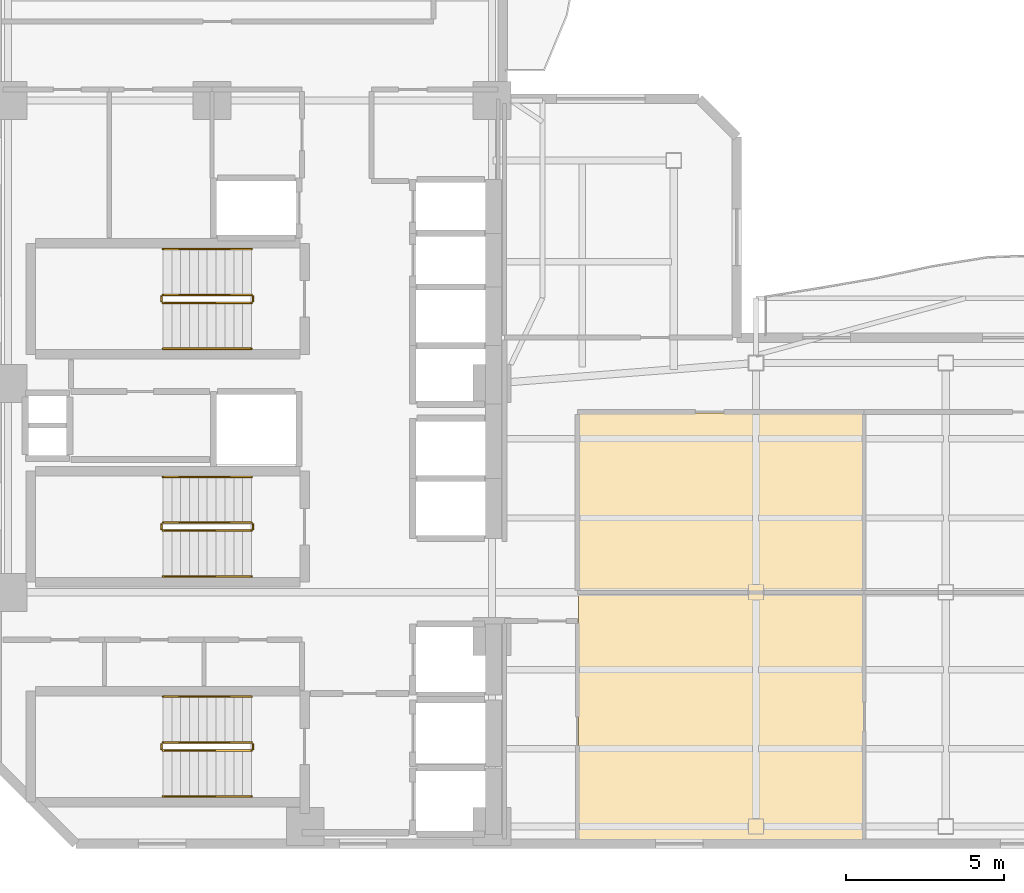
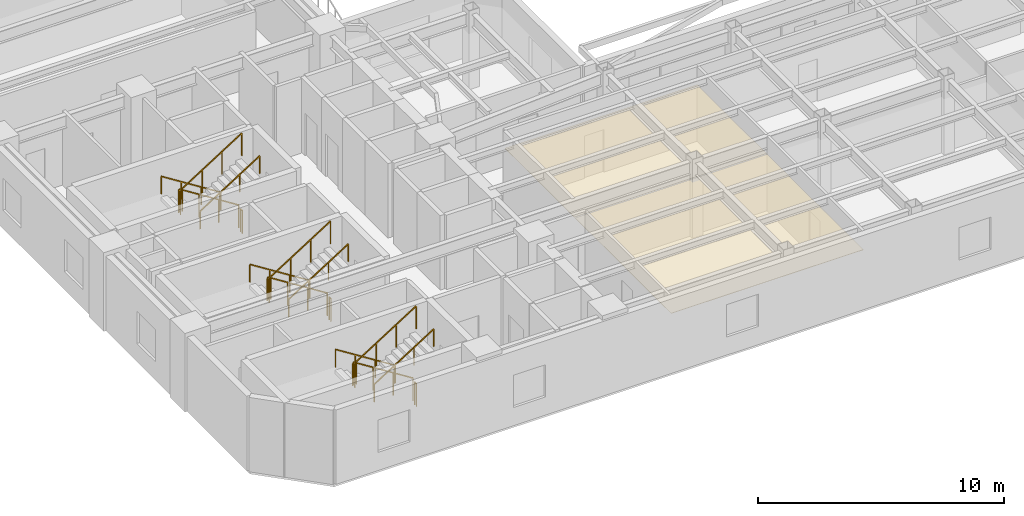
# One storey, part 7 of 9: 18 railings, 2 coverings.
"""IFC4 building model written with IfcOpenShell, lengths in metres."""

import ifcopenshell
import ifcopenshell.guid

model = None  # the IFC model being written
_history = None  # IfcOwnerHistory: only IFC2X3 demands one
_inside = {}  # id of a spatial element -> (the spatial element, [elements in it])
_under = {}  # id of a project, library or spatial element -> (it, [spatial elements below it])
_declared = {}  # id of a project -> (the project, [libraries it declares])
_typed = {}  # id of a type object -> (the type object, [elements of that type])
_made_of = {}  # id of a material, layer set ... -> (it, [elements and type objects made of it])


def new_model(schema):
    """Start an empty IFC model of exactly this schema.

    Asked for "IFC4X3", IfcOpenShell would pick the latest addendum, in which some entities
    have other attributes; the version numbers below select the first issue.
    IFC2X3 requires an IfcOwnerHistory on every rooted entity: one is made here for all.
    """
    global model, _history
    if schema == "IFC4X3":
        model = ifcopenshell.file(schema_version=(4, 3, 0, 0))
    else:
        model = ifcopenshell.file(schema=schema)
    _inside.clear()
    _under.clear()
    _declared.clear()
    _typed.clear()
    _made_of.clear()
    _history = None
    if model.schema == "IFC2X3":
        org = make("IfcOrganization", Name="unknown")
        user = make(
            "IfcPersonAndOrganization",
            ThePerson=make("IfcPerson", FamilyName="unknown"),
            TheOrganization=org,
        )
        app = make(
            "IfcApplication",
            ApplicationDeveloper=org,
            Version="unknown",
            ApplicationFullName="unknown",
            ApplicationIdentifier="unknown",
        )
        _history = make(
            "IfcOwnerHistory",
            OwningUser=user,
            OwningApplication=app,
            ChangeAction="ADDED",
            CreationDate=0,
        )
    return model


def make(cls, **values):
    """One entity of the class cls with the attributes given. An attribute that is None is left unset."""
    return model.create_entity(
        cls, **{name: value for name, value in values.items() if value is not None}
    )


def rooted(cls, **values):
    """An entity with a GlobalId (a new one), such as an element, a storey or a relation."""
    return make(cls, GlobalId=ifcopenshell.guid.new(), OwnerHistory=_history, **values)


def si_unit(unit_type, name, prefix=None):
    """IfcSIUnit, for example si_unit("LENGTHUNIT", "METRE", prefix="MILLI")."""
    return make("IfcSIUnit", UnitType=unit_type, Prefix=prefix, Name=name)


def assignment(units):
    """IfcUnitAssignment: the units of a project."""
    return None if units is None else make("IfcUnitAssignment", Units=units)


def point(xyz):
    """IfcCartesianPoint."""
    return None if xyz is None else make("IfcCartesianPoint", Coordinates=xyz)


def direction(xyz):
    """IfcDirection."""
    return None if xyz is None else make("IfcDirection", DirectionRatios=xyz)


def frame(location, z_axis=None, x_axis=None):
    """IfcAxis2Placement3D, a coordinate frame: its origin and axes. An axis left out is left unset."""
    return make(
        "IfcAxis2Placement3D",
        Location=point(location),
        Axis=direction(z_axis),
        RefDirection=direction(x_axis),
    )


def frame_2d(location, x_axis=None):
    """IfcAxis2Placement2D, a coordinate frame in the plane: its origin and x axis."""
    return make(
        "IfcAxis2Placement2D", Location=point(location), RefDirection=direction(x_axis)
    )


def origin():
    """The frame at (0, 0, 0) with its axes left unset."""
    return frame((0.0, 0.0, 0.0))


def origin_2d():
    """The frame at (0, 0) in the plane with its x axis left unset."""
    return frame_2d((0.0, 0.0))


def place(relative_to, where):
    """IfcLocalPlacement: puts the frame where relative to a parent placement (None: the world)."""
    return make(
        "IfcLocalPlacement", PlacementRelTo=relative_to, RelativePlacement=where
    )


def context(
    kind, dimensions, precision=None, world=None, true_north=None, identifier=None
):
    """IfcGeometricRepresentationContext, for example the 3D "Model" context."""
    return make(
        "IfcGeometricRepresentationContext",
        ContextIdentifier=identifier,
        ContextType=kind,
        CoordinateSpaceDimension=dimensions,
        Precision=precision,
        WorldCoordinateSystem=world,
        TrueNorth=true_north,
    )


def subcontext(parent, identifier, kind, view, scale=None):
    """IfcGeometricRepresentationSubContext, for example "Body" below "Model"."""
    return make(
        "IfcGeometricRepresentationSubContext",
        ContextIdentifier=identifier,
        ContextType=kind,
        ParentContext=parent,
        TargetScale=scale,
        TargetView=view,
    )


def project(units=None, contexts=None):
    """IfcProject with its units and contexts."""
    return rooted(
        "IfcProject",
        Name="project",
        RepresentationContexts=contexts,
        UnitsInContext=assignment(units),
    )


def spatial(cls, under=None, at=None, **own):
    """A site, building, storey or space (cls), placed at a placement, below another one or the project."""
    s = rooted(cls, ObjectPlacement=at, **own)
    if under is not None:
        _under.setdefault(under.id(), (under, []))[1].append(s)
    return s


def polyline(points):
    """IfcPolyline through the points."""
    return make("IfcPolyline", Points=[point(p) for p in points])


def profile(cls, at=None, kind="AREA", **sizes):
    """A parametric profile (cls). Its sizes go by their IFC names, for example OverallWidth=200.0."""
    return make(cls, ProfileType=kind, Position=at, **sizes)


def rectangle(**sizes):
    """IfcRectangleProfileDef."""
    return profile("IfcRectangleProfileDef", **sizes)


def outline(outer, holes=None, kind="AREA"):
    """IfcArbitraryClosedProfileDef: a profile drawn as a closed curve; with holes, ...WithVoids."""
    if holes is None:
        return make("IfcArbitraryClosedProfileDef", ProfileType=kind, OuterCurve=outer)
    return make(
        "IfcArbitraryProfileDefWithVoids",
        ProfileType=kind,
        OuterCurve=outer,
        InnerCurves=holes,
    )


def extrude(swept, where, along, depth):
    """IfcExtrudedAreaSolid: the profile swept, set in the frame where, extruded along a direction by depth."""
    return make(
        "IfcExtrudedAreaSolid",
        SweptArea=swept,
        Position=where,
        ExtrudedDirection=direction(along),
        Depth=depth,
    )


def shape(context_of_items, identifier, shape_type, items):
    """IfcShapeRepresentation: the items that make up one representation, for example the "Body"."""
    return make(
        "IfcShapeRepresentation",
        ContextOfItems=context_of_items,
        RepresentationIdentifier=identifier,
        RepresentationType=shape_type,
        Items=items,
    )


def material(Name=None, Category=None):
    """IfcMaterial."""
    return make("IfcMaterial", Name=Name, Category=Category)


def layer(
    of_material, thickness, ventilated=None, Name=None, Category=None, Priority=None
):
    """IfcMaterialLayer: one layer of a wall or slab, of a material (None: an air gap)."""
    return make(
        "IfcMaterialLayer",
        Material=of_material,
        LayerThickness=thickness,
        IsVentilated=ventilated,
        Name=Name,
        Category=Category,
        Priority=Priority,
    )


def layer_set(layers, Name=None):
    """IfcMaterialLayerSet."""
    return make("IfcMaterialLayerSet", MaterialLayers=layers, LayerSetName=Name)


def made_of(thing, what):
    """Note that an element or type object is made of a material, layer set ...; save() writes the relation."""
    if what is not None:
        _made_of.setdefault(what.id(), (what, []))[1].append(thing)
    return thing


def type_object(cls, material=None, **own):
    """A type object (cls), such as IfcWallType, which elements share."""
    return made_of(rooted(cls, **own), material)


def element(
    cls,
    number,
    at=None,
    inside=None,
    cuts=None,
    type_object=None,
    material=None,
    context=None,
    identifier="Body",
    shape_type=None,
    held_by="IfcProductDefinitionShape",
    body=None,
    shapes=None,
    **own,
):
    """One element of the class cls, such as IfcWall. Its Tag is "e" and its number.

    at: its placement. inside: the storey or other place that contains it. cuts: it is an
    opening in that element (IfcRelVoidsElement). A single representation is given by context,
    identifier, shape_type and body (its items); several are given by shapes. held_by: the class
    of the entity that holds the representations. save() writes the other relations.
    """
    e = rooted(cls, Tag="e%d" % number, ObjectPlacement=at, **own)
    if body is not None:
        shapes = [shape(context, identifier, shape_type, body)]
    if shapes is not None:
        e.Representation = make(held_by, Representations=shapes)
    if inside is not None:
        _inside.setdefault(inside.id(), (inside, []))[1].append(e)
    if cuts is not None:
        rooted(
            "IfcRelVoidsElement", RelatingBuildingElement=cuts, RelatedOpeningElement=e
        )
    if type_object is not None:
        _typed.setdefault(type_object.id(), (type_object, []))[1].append(e)
    return made_of(e, material)


def aggregate(whole, parts):
    """IfcRelAggregates: a whole, such as a stair, and the parts it consists of."""
    return rooted("IfcRelAggregates", RelatingObject=whole, RelatedObjects=parts)


def save(model, path):
    """Write the relations noted so far, then the file.

    IfcRelAggregates (storeys below a building ...), IfcRelContainedInSpatialStructure (elements
    in a storey), IfcRelDefinesByType, IfcRelAssociatesMaterial and IfcRelDeclares: one each for
    every whole, place, type object, material and project.
    """
    for whole, parts in _under.values():
        aggregate(whole, parts)
    for where, things in _inside.values():
        rooted(
            "IfcRelContainedInSpatialStructure",
            RelatedElements=things,
            RelatingStructure=where,
        )
    for kind, things in _typed.values():
        rooted("IfcRelDefinesByType", RelatedObjects=things, RelatingType=kind)
    for what, things in _made_of.values():
        rooted("IfcRelAssociatesMaterial", RelatedObjects=things, RelatingMaterial=what)
    for by, libraries in _declared.values():
        rooted("IfcRelDeclares", RelatingContext=by, RelatedDefinitions=libraries)
    model.write(path)


model = new_model("IFC4")

# Units and contexts
model_context = context("Model", 3, precision=1e-05, world=origin(), true_north=direction((0.0, 1.0)))
body_context = subcontext(model_context, "Body", "Model", "MODEL_VIEW")
ifc_project = project(units=[si_unit("LENGTHUNIT", "METRE"), si_unit("AREAUNIT", "SQUARE_METRE"), si_unit("VOLUMEUNIT", "CUBIC_METRE"), si_unit("PLANEANGLEUNIT", "RADIAN"), si_unit("MASSUNIT", "GRAM", prefix="KILO")], contexts=[model_context])

# Site, building, storey
site_placement = place(None, origin())
site = spatial("IfcSite", under=ifc_project, at=site_placement, CompositionType="ELEMENT")
building_placement = place(site_placement, origin())
building = spatial("IfcBuilding", under=site, at=building_placement, Name="Mawjaban Terraces University", CompositionType="ELEMENT")
storey_placement = place(building_placement, frame((0.0, 0.0, 154.10009765625)))
storey = spatial("IfcBuildingStorey", under=building, at=storey_placement, Name="L37", CompositionType="ELEMENT", Elevation=154.10009765625)

# Coverings
ifc_material_1 = material(Name="Acoustic mineral fibre ceiling tile", Category="masonry")
ifc_layer = layer(ifc_material_1, 0.02001953125)
ifc_layer_set = layer_set([ifc_layer], Name="Acoustic mineral fibre ceiling tile")
covering_type = type_object("IfcCoveringType", Name="AcousticMineralCeiling_20", PredefinedType="CEILING", material=ifc_layer_set)
covering_1_placement = place(storey_placement, frame((0.0, 0.0, 2.75)))
element("IfcCovering", 1, at=covering_1_placement, inside=storey, type_object=covering_type, Name="L37 Academic Counseling Room 2 Acoustic Ceiling", PredefinedType="CEILING", context=body_context, shape_type="SweptSolid", body=[
    extrude(outline(polyline([(40.3798828125, 0.114990234375), (49.39501953125, 0.114990234375), (49.39501953125, 7.919921875), (40.3798828125, 7.919921875), (40.3798828125, 0.114990234375)])), origin(), (0.0, 0.0, 1.0), 0.02001953125),
])
covering_2_placement = place(storey_placement, frame((0.0, 0.0, 2.75)))
element("IfcCovering", 2, at=covering_2_placement, inside=storey, type_object=covering_type, Name="L37 Academic Counseling Room 3 Acoustic Ceiling", PredefinedType="CEILING", context=body_context, shape_type="SweptSolid", body=[
    extrude(outline(polyline([(49.39501953125, 7.97998046875), (49.39501953125, 13.6201171875), (40.3798828125, 13.6201171875), (40.3798828125, 7.97998046875), (49.39501953125, 7.97998046875)])), origin(), (0.0, 0.0, 1.0), 0.02001953125),
])

# Railings
ifc_material_2 = material(Name="Brushed stainless steel 316", Category="steel")
railing_type_1 = type_object("IfcRailingType", Name="StairWallHandrail_900", PredefinedType="HANDRAIL", material=ifc_material_2)
railing_1_placement = place(storey_placement, frame((30.050048828125, 4.64990234375, 0.17724609375)))
element("IfcRailing", 3, at=railing_1_placement, inside=storey, type_object=railing_type_1, Name="L37 ST-1 stair handrail 1", PredefinedType="HANDRAIL", context=body_context, shape_type="SweptSolid", body=[
    extrude(rectangle(XDim=0.048095703125, YDim=0.048095703125, at=origin_2d()), frame((0.0, 0.0, 0.8759765625), z_axis=(-0.844908973607, 0.0, 0.534910110503), x_axis=(0.0, -1.0, 0.0)), (0.0, 0.0, 1.0), 3.31396484375),
    extrude(rectangle(XDim=0.0419921875, YDim=0.0419921875, at=origin_2d()), origin(), (0.0, 0.0, 1.0), 0.851806640625),
    extrude(rectangle(XDim=0.0419921875, YDim=0.0419921875, at=origin_2d()), frame((-0.933349609375, 0.0, 0.5908203125)), (0.0, 0.0, 1.0), 0.851806640625),
    extrude(rectangle(XDim=0.0419921875, YDim=0.0419921875, at=origin_2d()), frame((-1.86669921875, 0.0, 1.181884765625)), (0.0, 0.0, 1.0), 0.851806640625),
    extrude(rectangle(XDim=0.0419921875, YDim=0.0419921875, at=origin_2d()), frame((-2.800048828125, 0.0, 1.772705078125)), (0.0, 0.0, 1.0), 0.851806640625),
])
railing_2_placement = place(storey_placement, frame((27.25, 1.5, 2.127197265625)))
element("IfcRailing", 4, at=railing_2_placement, inside=storey, type_object=railing_type_1, Name="L37 ST-1 stair handrail 2", PredefinedType="HANDRAIL", context=body_context, shape_type="SweptSolid", body=[
    extrude(rectangle(XDim=0.048095703125, YDim=0.048095703125, at=origin_2d()), frame((0.0, 0.0, 0.8759765625), z_axis=(0.844908973607, 0.0, 0.534910110503), x_axis=(0.0, 1.0, 0.0)), (0.0, 0.0, 1.0), 3.31396484375),
    extrude(rectangle(XDim=0.0419921875, YDim=0.0419921875, at=origin_2d()), origin(), (0.0, 0.0, 1.0), 0.851806640625),
    extrude(rectangle(XDim=0.0419921875, YDim=0.0419921875, at=origin_2d()), frame((0.933349609375, 0.0, 0.5908203125)), (0.0, 0.0, 1.0), 0.851806640625),
    extrude(rectangle(XDim=0.0419921875, YDim=0.0419921875, at=origin_2d()), frame((1.86669921875, 0.0, 1.181884765625)), (0.0, 0.0, 1.0), 0.851806640625),
    extrude(rectangle(XDim=0.0419921875, YDim=0.0419921875, at=origin_2d()), frame((2.800048828125, 0.0, 1.772705078125)), (0.0, 0.0, 1.0), 0.851806640625),
])
railing_3_placement = place(storey_placement, frame((30.050048828125, 18.800048828125, 0.17724609375)))
element("IfcRailing", 5, at=railing_3_placement, inside=storey, type_object=railing_type_1, Name="L37 ST-2 stair handrail 1", PredefinedType="HANDRAIL", context=body_context, shape_type="SweptSolid", body=[
    extrude(rectangle(XDim=0.048095703125, YDim=0.048095703125, at=origin_2d()), frame((0.0, 0.0, 0.8759765625), z_axis=(-0.844908973607, 0.0, 0.534910110503), x_axis=(0.0, -1.0, 0.0)), (0.0, 0.0, 1.0), 3.31396484375),
    extrude(rectangle(XDim=0.0419921875, YDim=0.0419921875, at=origin_2d()), origin(), (0.0, 0.0, 1.0), 0.851806640625),
    extrude(rectangle(XDim=0.0419921875, YDim=0.0419921875, at=origin_2d()), frame((-0.933349609375, 0.0, 0.5908203125)), (0.0, 0.0, 1.0), 0.851806640625),
    extrude(rectangle(XDim=0.0419921875, YDim=0.0419921875, at=origin_2d()), frame((-1.86669921875, 0.0, 1.181884765625)), (0.0, 0.0, 1.0), 0.851806640625),
    extrude(rectangle(XDim=0.0419921875, YDim=0.0419921875, at=origin_2d()), frame((-2.800048828125, 0.0, 1.772705078125)), (0.0, 0.0, 1.0), 0.851806640625),
])
railing_4_placement = place(storey_placement, frame((27.25, 15.64990234375, 2.127197265625)))
element("IfcRailing", 6, at=railing_4_placement, inside=storey, type_object=railing_type_1, Name="L37 ST-2 stair handrail 2", PredefinedType="HANDRAIL", context=body_context, shape_type="SweptSolid", body=[
    extrude(rectangle(XDim=0.048095703125, YDim=0.048095703125, at=origin_2d()), frame((0.0, 0.0, 0.8759765625), z_axis=(0.844908973607, 0.0, 0.534910110503), x_axis=(0.0, 1.0, 0.0)), (0.0, 0.0, 1.0), 3.31396484375),
    extrude(rectangle(XDim=0.0419921875, YDim=0.0419921875, at=origin_2d()), origin(), (0.0, 0.0, 1.0), 0.851806640625),
    extrude(rectangle(XDim=0.0419921875, YDim=0.0419921875, at=origin_2d()), frame((0.933349609375, 0.0, 0.5908203125)), (0.0, 0.0, 1.0), 0.851806640625),
    extrude(rectangle(XDim=0.0419921875, YDim=0.0419921875, at=origin_2d()), frame((1.86669921875, 0.0, 1.181884765625)), (0.0, 0.0, 1.0), 0.851806640625),
    extrude(rectangle(XDim=0.0419921875, YDim=0.0419921875, at=origin_2d()), frame((2.800048828125, 0.0, 1.772705078125)), (0.0, 0.0, 1.0), 0.851806640625),
])
railing_5_placement = place(storey_placement, frame((30.050048828125, 11.60009765625, 0.17724609375)))
element("IfcRailing", 7, at=railing_5_placement, inside=storey, type_object=railing_type_1, Name="L37 ST-3 stair handrail 1", PredefinedType="HANDRAIL", context=body_context, shape_type="SweptSolid", body=[
    extrude(rectangle(XDim=0.048095703125, YDim=0.048095703125, at=origin_2d()), frame((0.0, 0.0, 0.8759765625), z_axis=(-0.844908973607, 0.0, 0.534910110503), x_axis=(0.0, -1.0, 0.0)), (0.0, 0.0, 1.0), 3.31396484375),
    extrude(rectangle(XDim=0.0419921875, YDim=0.0419921875, at=origin_2d()), origin(), (0.0, 0.0, 1.0), 0.851806640625),
    extrude(rectangle(XDim=0.0419921875, YDim=0.0419921875, at=origin_2d()), frame((-0.933349609375, 0.0, 0.5908203125)), (0.0, 0.0, 1.0), 0.851806640625),
    extrude(rectangle(XDim=0.0419921875, YDim=0.0419921875, at=origin_2d()), frame((-1.86669921875, 0.0, 1.181884765625)), (0.0, 0.0, 1.0), 0.851806640625),
    extrude(rectangle(XDim=0.0419921875, YDim=0.0419921875, at=origin_2d()), frame((-2.800048828125, 0.0, 1.772705078125)), (0.0, 0.0, 1.0), 0.851806640625),
])
railing_6_placement = place(storey_placement, frame((27.25, 8.449951171875, 2.127197265625)))
element("IfcRailing", 8, at=railing_6_placement, inside=storey, type_object=railing_type_1, Name="L37 ST-3 stair handrail 2", PredefinedType="HANDRAIL", context=body_context, shape_type="SweptSolid", body=[
    extrude(rectangle(XDim=0.048095703125, YDim=0.048095703125, at=origin_2d()), frame((0.0, 0.0, 0.8759765625), z_axis=(0.844908973607, 0.0, 0.534910110503), x_axis=(0.0, 1.0, 0.0)), (0.0, 0.0, 1.0), 3.31396484375),
    extrude(rectangle(XDim=0.0419921875, YDim=0.0419921875, at=origin_2d()), origin(), (0.0, 0.0, 1.0), 0.851806640625),
    extrude(rectangle(XDim=0.0419921875, YDim=0.0419921875, at=origin_2d()), frame((0.933349609375, 0.0, 0.5908203125)), (0.0, 0.0, 1.0), 0.851806640625),
    extrude(rectangle(XDim=0.0419921875, YDim=0.0419921875, at=origin_2d()), frame((1.86669921875, 0.0, 1.181884765625)), (0.0, 0.0, 1.0), 0.851806640625),
    extrude(rectangle(XDim=0.0419921875, YDim=0.0419921875, at=origin_2d()), frame((2.800048828125, 0.0, 1.772705078125)), (0.0, 0.0, 1.0), 0.851806640625),
])
ifc_material_3 = material(Name="Galvanised painted steel S355", Category="steel")
railing_type_2 = type_object("IfcRailingType", Name="StairWellGuard_1150", PredefinedType="BALUSTRADE", material=ifc_material_3)
railing_7_placement = place(storey_placement, frame((30.050048828125, 3.199951171875, 0.17724609375)))
element("IfcRailing", 9, at=railing_7_placement, inside=storey, type_object=railing_type_2, Name="L37 ST-1 stair guard 1", PredefinedType="BALUSTRADE", context=body_context, shape_type="SweptSolid", body=[
    extrude(rectangle(XDim=0.048095703125, YDim=0.048095703125, at=origin_2d()), frame((0.0, 0.0, 1.1259765625), z_axis=(-0.844908973607, 0.0, 0.534910110503), x_axis=(0.0, -1.0, 0.0)), (0.0, 0.0, 1.0), 3.31396484375),
    extrude(rectangle(XDim=0.0419921875, YDim=0.0419921875, at=origin_2d()), origin(), (0.0, 0.0, 1.0), 1.101806640625),
    extrude(rectangle(XDim=0.0419921875, YDim=0.0419921875, at=origin_2d()), frame((-0.933349609375, 0.0, 0.5908203125)), (0.0, 0.0, 1.0), 1.101806640625),
    extrude(rectangle(XDim=0.0419921875, YDim=0.0419921875, at=origin_2d()), frame((-1.86669921875, 0.0, 1.181884765625)), (0.0, 0.0, 1.0), 1.101806640625),
    extrude(rectangle(XDim=0.0419921875, YDim=0.0419921875, at=origin_2d()), frame((-2.800048828125, 0.0, 1.772705078125)), (0.0, 0.0, 1.0), 1.101806640625),
])
railing_8_placement = place(storey_placement, frame((27.199951171875, 3.14990234375, 1.949951171875)))
element("IfcRailing", 10, at=railing_8_placement, inside=storey, type_object=railing_type_2, Name="L37 ST-1 stair guard 2", PredefinedType="BALUSTRADE", context=body_context, shape_type="SweptSolid", body=[
    extrude(rectangle(XDim=0.048095703125, YDim=0.048095703125, at=origin_2d()), frame((0.0, 0.0, 1.1259765625), z_axis=(0.0, -1.0, 0.0), x_axis=(1.0, 0.0, 0.0)), (0.0, 0.0, 1.0), 0.14990234375),
    extrude(rectangle(XDim=0.0419921875, YDim=0.0419921875, at=origin_2d()), origin(), (0.0, 0.0, 1.0), 1.101806640625),
    extrude(rectangle(XDim=0.0419921875, YDim=0.0419921875, at=origin_2d()), frame((0.0, -0.14990234375, 0.0)), (0.0, 0.0, 1.0), 1.101806640625),
])
railing_9_placement = place(storey_placement, frame((27.25, 2.949951171875, 2.127197265625)))
element("IfcRailing", 11, at=railing_9_placement, inside=storey, type_object=railing_type_2, Name="L37 ST-1 stair guard 3", PredefinedType="BALUSTRADE", context=body_context, shape_type="SweptSolid", body=[
    extrude(rectangle(XDim=0.048095703125, YDim=0.048095703125, at=origin_2d()), frame((0.0, 0.0, 1.1259765625), z_axis=(0.844908973607, 0.0, 0.534910110503), x_axis=(0.0, 1.0, 0.0)), (0.0, 0.0, 1.0), 3.31396484375),
    extrude(rectangle(XDim=0.0419921875, YDim=0.0419921875, at=origin_2d()), origin(), (0.0, 0.0, 1.0), 1.101806640625),
    extrude(rectangle(XDim=0.0419921875, YDim=0.0419921875, at=origin_2d()), frame((0.933349609375, 0.0, 0.5908203125)), (0.0, 0.0, 1.0), 1.101806640625),
    extrude(rectangle(XDim=0.0419921875, YDim=0.0419921875, at=origin_2d()), frame((1.86669921875, 0.0, 1.181884765625)), (0.0, 0.0, 1.0), 1.101806640625),
    extrude(rectangle(XDim=0.0419921875, YDim=0.0419921875, at=origin_2d()), frame((2.800048828125, 0.0, 1.772705078125)), (0.0, 0.0, 1.0), 1.101806640625),
])
railing_10_placement = place(storey_placement, frame((30.10009765625, 3.14990234375, 0.0)))
element("IfcRailing", 12, at=railing_10_placement, inside=storey, type_object=railing_type_2, Name="L37 ST-1 stair guard 4", PredefinedType="BALUSTRADE", context=body_context, shape_type="SweptSolid", body=[
    extrude(rectangle(XDim=0.048095703125, YDim=0.048095703125, at=origin_2d()), frame((0.0, 0.0, 1.1259765625), z_axis=(0.0, -1.0, 0.0), x_axis=(1.0, 0.0, 0.0)), (0.0, 0.0, 1.0), 0.14990234375),
    extrude(rectangle(XDim=0.0419921875, YDim=0.0419921875, at=origin_2d()), origin(), (0.0, 0.0, 1.0), 1.101806640625),
    extrude(rectangle(XDim=0.0419921875, YDim=0.0419921875, at=origin_2d()), frame((0.0, -0.14990234375, 0.0)), (0.0, 0.0, 1.0), 1.101806640625),
])
railing_11_placement = place(storey_placement, frame((30.050048828125, 17.35009765625, 0.17724609375)))
element("IfcRailing", 13, at=railing_11_placement, inside=storey, type_object=railing_type_2, Name="L37 ST-2 stair guard 1", PredefinedType="BALUSTRADE", context=body_context, shape_type="SweptSolid", body=[
    extrude(rectangle(XDim=0.048095703125, YDim=0.048095703125, at=origin_2d()), frame((0.0, 0.0, 1.1259765625), z_axis=(-0.844908973607, 0.0, 0.534910110503), x_axis=(0.0, -1.0, 0.0)), (0.0, 0.0, 1.0), 3.31396484375),
    extrude(rectangle(XDim=0.0419921875, YDim=0.0419921875, at=origin_2d()), origin(), (0.0, 0.0, 1.0), 1.101806640625),
    extrude(rectangle(XDim=0.0419921875, YDim=0.0419921875, at=origin_2d()), frame((-0.933349609375, 0.0, 0.5908203125)), (0.0, 0.0, 1.0), 1.101806640625),
    extrude(rectangle(XDim=0.0419921875, YDim=0.0419921875, at=origin_2d()), frame((-1.86669921875, 0.0, 1.181884765625)), (0.0, 0.0, 1.0), 1.101806640625),
    extrude(rectangle(XDim=0.0419921875, YDim=0.0419921875, at=origin_2d()), frame((-2.800048828125, 0.0, 1.772705078125)), (0.0, 0.0, 1.0), 1.101806640625),
])
railing_12_placement = place(storey_placement, frame((27.199951171875, 17.300048828125, 1.949951171875)))
element("IfcRailing", 14, at=railing_12_placement, inside=storey, type_object=railing_type_2, Name="L37 ST-2 stair guard 2", PredefinedType="BALUSTRADE", context=body_context, shape_type="SweptSolid", body=[
    extrude(rectangle(XDim=0.048095703125, YDim=0.048095703125, at=origin_2d()), frame((0.0, 0.0, 1.1259765625), z_axis=(0.0, -1.0, 0.0), x_axis=(1.0, 0.0, 0.0)), (0.0, 0.0, 1.0), 0.150146484375),
    extrude(rectangle(XDim=0.0419921875, YDim=0.0419921875, at=origin_2d()), origin(), (0.0, 0.0, 1.0), 1.101806640625),
    extrude(rectangle(XDim=0.0419921875, YDim=0.0419921875, at=origin_2d()), frame((0.0, -0.150146484375, 0.0)), (0.0, 0.0, 1.0), 1.101806640625),
])
railing_13_placement = place(storey_placement, frame((27.25, 17.10009765625, 2.127197265625)))
element("IfcRailing", 15, at=railing_13_placement, inside=storey, type_object=railing_type_2, Name="L37 ST-2 stair guard 3", PredefinedType="BALUSTRADE", context=body_context, shape_type="SweptSolid", body=[
    extrude(rectangle(XDim=0.048095703125, YDim=0.048095703125, at=origin_2d()), frame((0.0, 0.0, 1.1259765625), z_axis=(0.844908973607, 0.0, 0.534910110503), x_axis=(0.0, 1.0, 0.0)), (0.0, 0.0, 1.0), 3.31396484375),
    extrude(rectangle(XDim=0.0419921875, YDim=0.0419921875, at=origin_2d()), origin(), (0.0, 0.0, 1.0), 1.101806640625),
    extrude(rectangle(XDim=0.0419921875, YDim=0.0419921875, at=origin_2d()), frame((0.933349609375, 0.0, 0.5908203125)), (0.0, 0.0, 1.0), 1.101806640625),
    extrude(rectangle(XDim=0.0419921875, YDim=0.0419921875, at=origin_2d()), frame((1.86669921875, 0.0, 1.181884765625)), (0.0, 0.0, 1.0), 1.101806640625),
    extrude(rectangle(XDim=0.0419921875, YDim=0.0419921875, at=origin_2d()), frame((2.800048828125, 0.0, 1.772705078125)), (0.0, 0.0, 1.0), 1.101806640625),
])
railing_14_placement = place(storey_placement, frame((30.10009765625, 17.300048828125, 0.0)))
element("IfcRailing", 16, at=railing_14_placement, inside=storey, type_object=railing_type_2, Name="L37 ST-2 stair guard 4", PredefinedType="BALUSTRADE", context=body_context, shape_type="SweptSolid", body=[
    extrude(rectangle(XDim=0.048095703125, YDim=0.048095703125, at=origin_2d()), frame((0.0, 0.0, 1.1259765625), z_axis=(0.0, -1.0, 0.0), x_axis=(1.0, 0.0, 0.0)), (0.0, 0.0, 1.0), 0.150146484375),
    extrude(rectangle(XDim=0.0419921875, YDim=0.0419921875, at=origin_2d()), origin(), (0.0, 0.0, 1.0), 1.101806640625),
    extrude(rectangle(XDim=0.0419921875, YDim=0.0419921875, at=origin_2d()), frame((0.0, -0.150146484375, 0.0)), (0.0, 0.0, 1.0), 1.101806640625),
])
railing_15_placement = place(storey_placement, frame((30.050048828125, 10.14990234375, 0.17724609375)))
element("IfcRailing", 17, at=railing_15_placement, inside=storey, type_object=railing_type_2, Name="L37 ST-3 stair guard 1", PredefinedType="BALUSTRADE", context=body_context, shape_type="SweptSolid", body=[
    extrude(rectangle(XDim=0.048095703125, YDim=0.048095703125, at=origin_2d()), frame((0.0, 0.0, 1.1259765625), z_axis=(-0.844908973607, 0.0, 0.534910110503), x_axis=(0.0, -1.0, 0.0)), (0.0, 0.0, 1.0), 3.31396484375),
    extrude(rectangle(XDim=0.0419921875, YDim=0.0419921875, at=origin_2d()), origin(), (0.0, 0.0, 1.0), 1.101806640625),
    extrude(rectangle(XDim=0.0419921875, YDim=0.0419921875, at=origin_2d()), frame((-0.933349609375, 0.0, 0.5908203125)), (0.0, 0.0, 1.0), 1.101806640625),
    extrude(rectangle(XDim=0.0419921875, YDim=0.0419921875, at=origin_2d()), frame((-1.86669921875, 0.0, 1.181884765625)), (0.0, 0.0, 1.0), 1.101806640625),
    extrude(rectangle(XDim=0.0419921875, YDim=0.0419921875, at=origin_2d()), frame((-2.800048828125, 0.0, 1.772705078125)), (0.0, 0.0, 1.0), 1.101806640625),
])
railing_16_placement = place(storey_placement, frame((27.199951171875, 10.10009765625, 1.949951171875)))
element("IfcRailing", 18, at=railing_16_placement, inside=storey, type_object=railing_type_2, Name="L37 ST-3 stair guard 2", PredefinedType="BALUSTRADE", context=body_context, shape_type="SweptSolid", body=[
    extrude(rectangle(XDim=0.048095703125, YDim=0.048095703125, at=origin_2d()), frame((0.0, 0.0, 1.1259765625), z_axis=(0.0, -1.0, 0.0), x_axis=(1.0, 0.0, 0.0)), (0.0, 0.0, 1.0), 0.150146484375),
    extrude(rectangle(XDim=0.0419921875, YDim=0.0419921875, at=origin_2d()), origin(), (0.0, 0.0, 1.0), 1.101806640625),
    extrude(rectangle(XDim=0.0419921875, YDim=0.0419921875, at=origin_2d()), frame((0.0, -0.150146484375, 0.0)), (0.0, 0.0, 1.0), 1.101806640625),
])
railing_17_placement = place(storey_placement, frame((27.25, 9.89990234375, 2.127197265625)))
element("IfcRailing", 19, at=railing_17_placement, inside=storey, type_object=railing_type_2, Name="L37 ST-3 stair guard 3", PredefinedType="BALUSTRADE", context=body_context, shape_type="SweptSolid", body=[
    extrude(rectangle(XDim=0.048095703125, YDim=0.048095703125, at=origin_2d()), frame((0.0, 0.0, 1.1259765625), z_axis=(0.844908973607, 0.0, 0.534910110503), x_axis=(0.0, 1.0, 0.0)), (0.0, 0.0, 1.0), 3.31396484375),
    extrude(rectangle(XDim=0.0419921875, YDim=0.0419921875, at=origin_2d()), origin(), (0.0, 0.0, 1.0), 1.101806640625),
    extrude(rectangle(XDim=0.0419921875, YDim=0.0419921875, at=origin_2d()), frame((0.933349609375, 0.0, 0.5908203125)), (0.0, 0.0, 1.0), 1.101806640625),
    extrude(rectangle(XDim=0.0419921875, YDim=0.0419921875, at=origin_2d()), frame((1.86669921875, 0.0, 1.181884765625)), (0.0, 0.0, 1.0), 1.101806640625),
    extrude(rectangle(XDim=0.0419921875, YDim=0.0419921875, at=origin_2d()), frame((2.800048828125, 0.0, 1.772705078125)), (0.0, 0.0, 1.0), 1.101806640625),
])
railing_18_placement = place(storey_placement, frame((30.10009765625, 10.10009765625, 0.0)))
element("IfcRailing", 20, at=railing_18_placement, inside=storey, type_object=railing_type_2, Name="L37 ST-3 stair guard 4", PredefinedType="BALUSTRADE", context=body_context, shape_type="SweptSolid", body=[
    extrude(rectangle(XDim=0.048095703125, YDim=0.048095703125, at=origin_2d()), frame((0.0, 0.0, 1.1259765625), z_axis=(0.0, -1.0, 0.0), x_axis=(1.0, 0.0, 0.0)), (0.0, 0.0, 1.0), 0.150146484375),
    extrude(rectangle(XDim=0.0419921875, YDim=0.0419921875, at=origin_2d()), origin(), (0.0, 0.0, 1.0), 1.101806640625),
    extrude(rectangle(XDim=0.0419921875, YDim=0.0419921875, at=origin_2d()), frame((0.0, -0.150146484375, 0.0)), (0.0, 0.0, 1.0), 1.101806640625),
])

save(model, "model.ifc")
